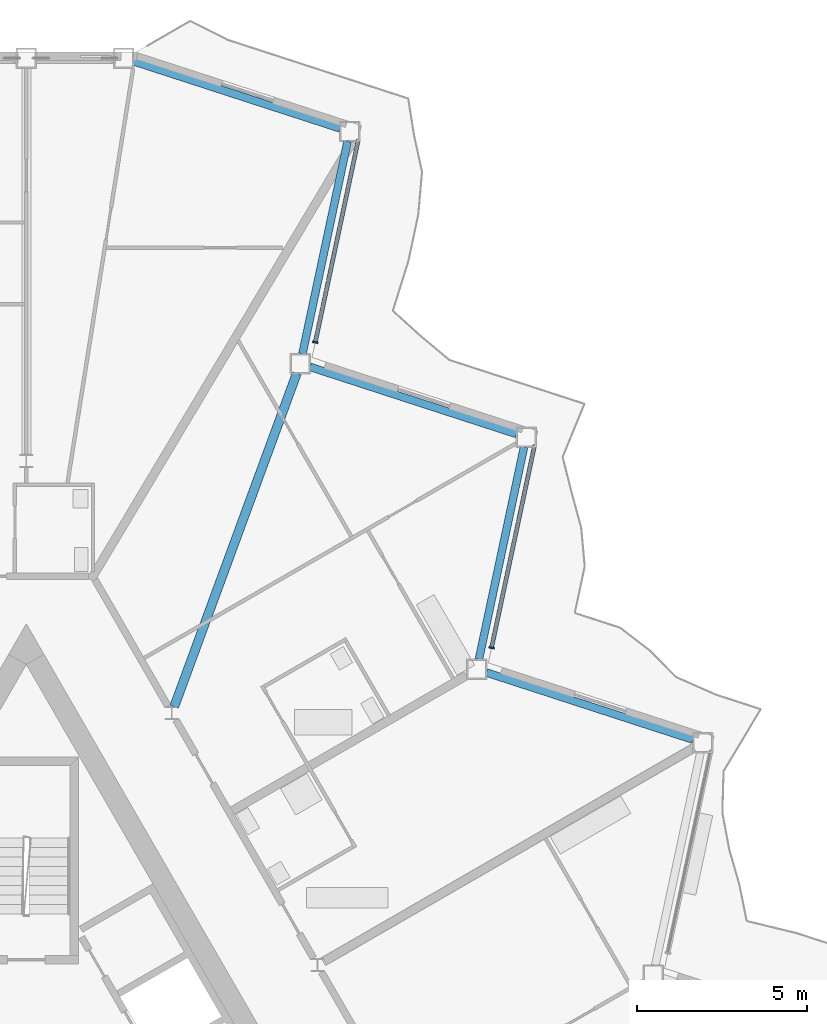
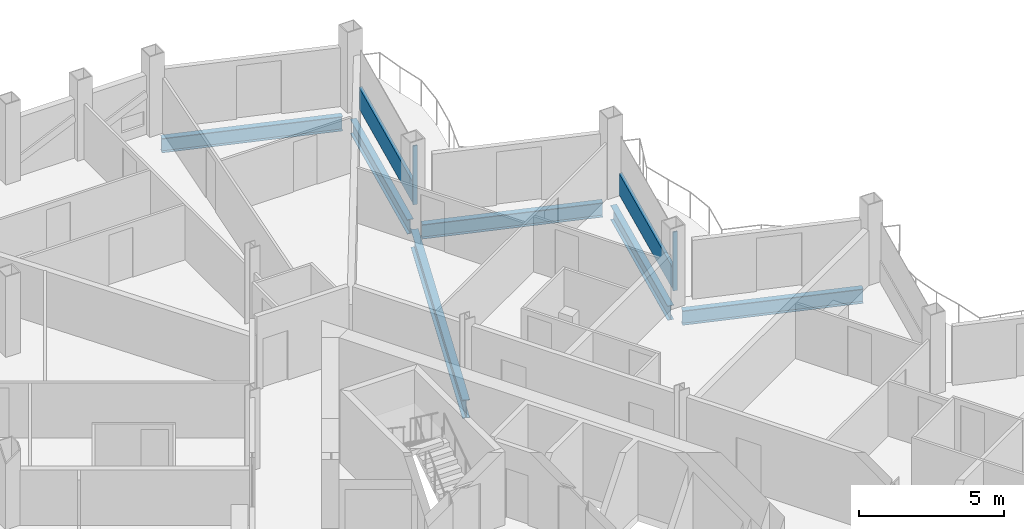
# One storey, part 11 of 26: 6 beams, 4 members, 2 elements without a shape of their own.
"""IFC4 building model written with IfcOpenShell, lengths in metres."""

from ifc_helpers import new_model, si_unit, direction, frame, origin, origin_2d, place, context, subcontext, project, spatial, rectangle, i_section, extrude, material, layer, layer_set, material_profile, profile_set, type_object, element, aggregate, save


model = new_model("IFC4")

# Units and contexts
model_context = context("Model", 3, precision=1e-05, world=origin(), true_north=direction((0.0, 1.0)))
body_context = subcontext(model_context, "Body", "Model", "MODEL_VIEW")
ifc_project = project(units=[si_unit("LENGTHUNIT", "METRE"), si_unit("AREAUNIT", "SQUARE_METRE"), si_unit("VOLUMEUNIT", "CUBIC_METRE"), si_unit("PLANEANGLEUNIT", "RADIAN"), si_unit("MASSUNIT", "GRAM", prefix="KILO")], contexts=[model_context])

# Site, building, storey
site_placement = place(None, origin())
site = spatial("IfcSite", under=ifc_project, at=site_placement, CompositionType="ELEMENT")
building_placement = place(site_placement, origin())
building = spatial("IfcBuilding", under=site, at=building_placement, Name="Cormorant Prow Tower", CompositionType="ELEMENT")
storey_placement = place(building_placement, frame((0.0, 0.0, 329.0)))
storey = spatial("IfcBuildingStorey", under=building, at=storey_placement, Name="L73", CompositionType="ELEMENT", Elevation=329.0)

# Beam
ifc_material_1 = material(Name="Structural steel ASTM A992 Gr 50", Category="steel")
ifc_material_profile_1 = material_profile(ifc_material_1, i_section(OverallWidth=0.267822265625, OverallDepth=0.77001953125, WebThickness=0.015625, FlangeThickness=0.025390625, at=origin_2d()), Name="W30x132")
ifc_profile_set_1 = profile_set([ifc_material_profile_1], Name="Structural steel ASTM A992 Gr 50")
beam_type_1 = type_object("IfcBeamType", Name="Radial floor beam W30x132", PredefinedType="BEAM", material=ifc_profile_set_1)
beam_1_placement = place(storey_placement, frame((4.357421875, 12.5673828125, -0.68505859375), z_axis=(0.345131226703, 0.938554439739, 0.0), x_axis=(-0.938554439739, 0.345131226703, 0.0)))
element("IfcBeam", 1, at=beam_1_placement, inside=storey, type_object=beam_type_1, Name="Radial floor beam FB3 12 L73", PredefinedType="BEAM", context=body_context, shape_type="SweptSolid", body=[
    extrude(i_section(OverallWidth=0.267822265625, OverallDepth=0.77001953125, WebThickness=0.015625, FlangeThickness=0.025390625, at=origin_2d()), origin(), (0.0, 0.0, 1.0), 10.465087890625),
])

# Curtain wall, member
ifc_material_2 = material(Name="Aluminium 6063-T6", Category="aluminium")
ifc_layer = layer(ifc_material_2, 0.159912109375)
ifc_layer_set = layer_set([ifc_layer], Name="Aluminium 6063-T6")
curtain_wall_type = type_object("IfcCurtainWallType", Name="Residential unitised curtain wall 160", PredefinedType="NOTDEFINED", material=ifc_layer_set)
curtain_wall_1_placement = place(storey_placement, origin())
curtain_wall_1 = element("IfcCurtainWall", 2, at=curtain_wall_1_placement, inside=storey, type_object=curtain_wall_type, Name="Residential curtain wall ENE06", PredefinedType="NOTDEFINED")
ifc_material_3 = material(Name="Aluminium 6063-T6", Category="aluminium")
ifc_material_profile_2 = material_profile(ifc_material_3, rectangle(XDim=0.159912109375, YDim=0.050048828125, at=origin_2d()), Name="Residential mullion 50x160")
ifc_profile_set_2 = profile_set([ifc_material_profile_2], Name="Aluminium 6063-T6")
member_type_1 = type_object("IfcMemberType", Name="Residential mullion 50x160", PredefinedType="MULLION", material=ifc_profile_set_2)
member_1_placement = place(storey_placement, frame((13.70849609375, 14.306884765625, 0.0), z_axis=(0.0, 0.0, 1.0), x_axis=(-0.978147600676, 0.207911691091, 0.0)))
member_1 = element("IfcMember", 3, at=member_1_placement, type_object=member_type_1, Name="Residential mullion ENE06", PredefinedType="MULLION", context=body_context, shape_type="SweptSolid", body=[
    extrude(rectangle(XDim=0.159912109375, YDim=0.050048828125, at=origin_2d()), origin(), (0.0, 0.0, 1.0), 2.48779296875),
])

curtain_wall_2_placement = place(storey_placement, origin())
curtain_wall_2 = element("IfcCurtainWall", 4, at=curtain_wall_2_placement, inside=storey, type_object=curtain_wall_type, Name="Residential curtain wall ENE08", PredefinedType="NOTDEFINED")
member_2_placement = place(storey_placement, frame((8.513671875, 23.30419921875, 0.0), z_axis=(0.0, 0.0, 1.0), x_axis=(-0.978147606859, 0.207911662, 0.0)))
member_2 = element("IfcMember", 5, at=member_2_placement, type_object=member_type_1, Name="Residential mullion ENE08", PredefinedType="MULLION", context=body_context, shape_type="SweptSolid", body=[
    extrude(rectangle(XDim=0.159912109375, YDim=0.050048828125, at=origin_2d()), origin(), (0.0, 0.0, 1.0), 2.48779296875),
])

# Member
ifc_material_4 = material(Name="Terracotta", Category="masonry")
ifc_material_profile_3 = material_profile(ifc_material_4, rectangle(XDim=0.1201171875, YDim=0.89990234375, at=origin_2d()), Name="Residential terracotta spandrel rail 120x900")
ifc_profile_set_3 = profile_set([ifc_material_profile_3], Name="Terracotta")
member_type_2 = type_object("IfcMemberType", Name="Residential terracotta spandrel rail 120x900", PredefinedType="USERDEFINED", material=ifc_profile_set_3)
member_3_placement = place(storey_placement, frame((13.713623046875, 14.331298828125, 0.449951171875), z_axis=(0.207908765956, 0.978148222428, 0.0), x_axis=(-0.978148222428, 0.207908765956, 0.0)))
member_3 = element("IfcMember", 6, at=member_3_placement, type_object=member_type_2, Name="Residential spandrel rail ENE06", ObjectType="TRANSOM", PredefinedType="USERDEFINED", context=body_context, shape_type="SweptSolid", body=[
    extrude(rectangle(XDim=0.1201171875, YDim=0.89990234375, at=origin_2d()), origin(), (0.0, 0.0, 1.0), 6.072021484375),
])

aggregate(curtain_wall_1, [member_1, member_3])

member_4_placement = place(storey_placement, frame((8.51904296875, 23.32861328125, 0.449951171875), z_axis=(0.207900589614, 0.978149960302, 0.0), x_axis=(-0.978149960302, 0.207900589614, 0.0)))
member_4 = element("IfcMember", 7, at=member_4_placement, type_object=member_type_2, Name="Residential spandrel rail ENE08", ObjectType="TRANSOM", PredefinedType="USERDEFINED", context=body_context, shape_type="SweptSolid", body=[
    extrude(rectangle(XDim=0.1201171875, YDim=0.89990234375, at=origin_2d()), origin(), (0.0, 0.0, 1.0), 6.072265625),
])

aggregate(curtain_wall_2, [member_2, member_4])

# Beams
ifc_material_5 = material(Name="Structural steel ASTM A992 Gr 50", Category="steel")
ifc_material_profile_4 = material_profile(ifc_material_5, i_section(OverallWidth=0.22900390625, OverallDepth=0.612060546875, WebThickness=0.011962890625, FlangeThickness=0.01953125, at=origin_2d()), Name="W24x84")
ifc_profile_set_4 = profile_set([ifc_material_profile_4], Name="Structural steel ASTM A992 Gr 50")
beam_type_2 = type_object("IfcBeamType", Name="Spandrel beam W24x84", PredefinedType="SPANDREL", material=ifc_profile_set_4)
for number, where, z_axis, x_axis, name in (
    (8, (19.640380859375, 11.5966796875, -0.60595703125), (-0.95105314132, 0.309027381286, 0.0), (-0.309027381286, -0.95105314132, 0.0), "Spandrel beam SB3 ENE05-ENE06 L73"),
    (9, (13.334228515625, 13.95947265625, -0.60595703125), (0.207920386839, 0.978145752297, 0.0), (-0.978145752297, 0.207920386839, 0.0), "Spandrel beam SB3 ENE06-ENE07 L73"),
    (10, (14.441162109375, 20.601806640625, -0.60595703125), (-0.95105314132, 0.309027381286, 0.0), (-0.309027381286, -0.95105314132, 0.0), "Spandrel beam SB3 ENE07-ENE08 L73"),
):
    element("IfcBeam", number, at=place(storey_placement, frame(where, z_axis=z_axis, x_axis=x_axis)), inside=storey, type_object=beam_type_2, Name=name, PredefinedType="SPANDREL", context=body_context, shape_type="SweptSolid", body=[
        extrude(i_section(OverallWidth=0.22900390625, OverallDepth=0.612060546875, WebThickness=0.011962890625, FlangeThickness=0.01953125, at=origin_2d()), origin(), (0.0, 0.0, 1.0), 6.39599609375),
    ])
beam_2_placement = place(storey_placement, frame((8.13525390625, 22.96435546875, -0.60595703125), z_axis=(0.20791262393, 0.978147402394, 0.0), x_axis=(-0.978147402394, 0.20791262393, 0.0)))
element("IfcBeam", 11, at=beam_2_placement, inside=storey, type_object=beam_type_2, Name="Spandrel beam SB3 ENE08-ENE09 L73", PredefinedType="SPANDREL", context=body_context, shape_type="SweptSolid", body=[
    extrude(i_section(OverallWidth=0.22900390625, OverallDepth=0.612060546875, WebThickness=0.011962890625, FlangeThickness=0.01953125, at=origin_2d()), origin(), (0.0, 0.0, 1.0), 6.396240234375),
])
beam_3_placement = place(storey_placement, frame((9.2421875, 29.60693359375, -0.60595703125), z_axis=(-0.951064359156, 0.308992855489, 0.0), x_axis=(-0.308992855489, -0.951064359156, 0.0)))
element("IfcBeam", 12, at=beam_3_placement, inside=storey, type_object=beam_type_2, Name="Spandrel beam SB3 ENE09-N00 L73", PredefinedType="SPANDREL", context=body_context, shape_type="SweptSolid", body=[
    extrude(i_section(OverallWidth=0.22900390625, OverallDepth=0.612060546875, WebThickness=0.011962890625, FlangeThickness=0.01953125, at=origin_2d()), origin(), (0.0, 0.0, 1.0), 6.39599609375),
])

save(model, "model.ifc")
